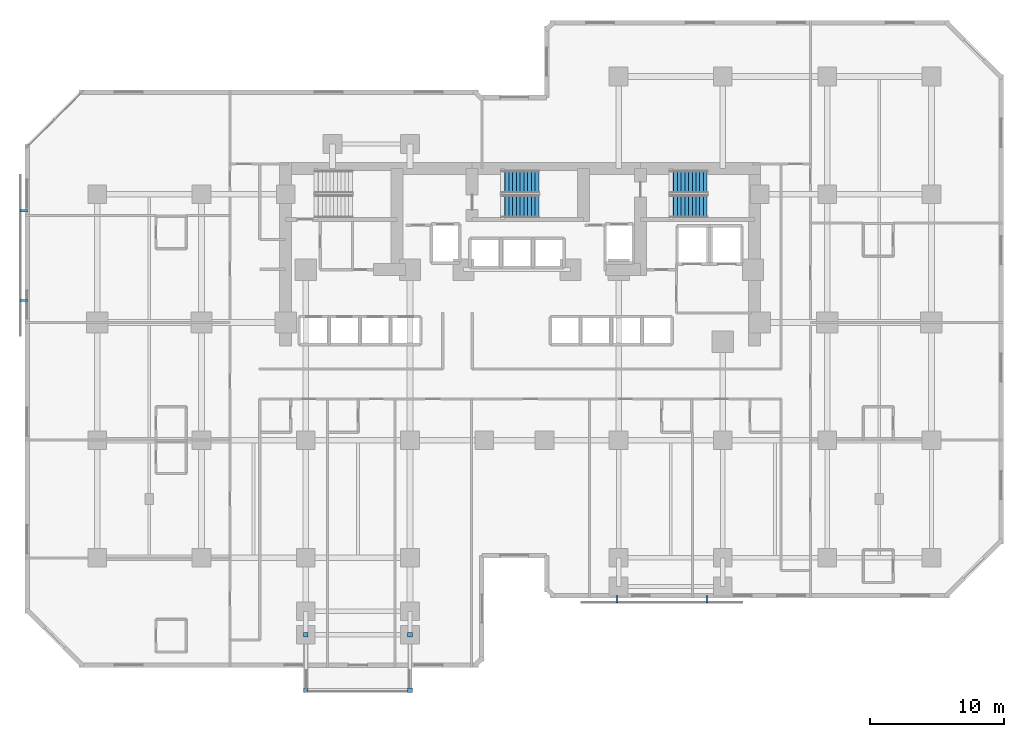
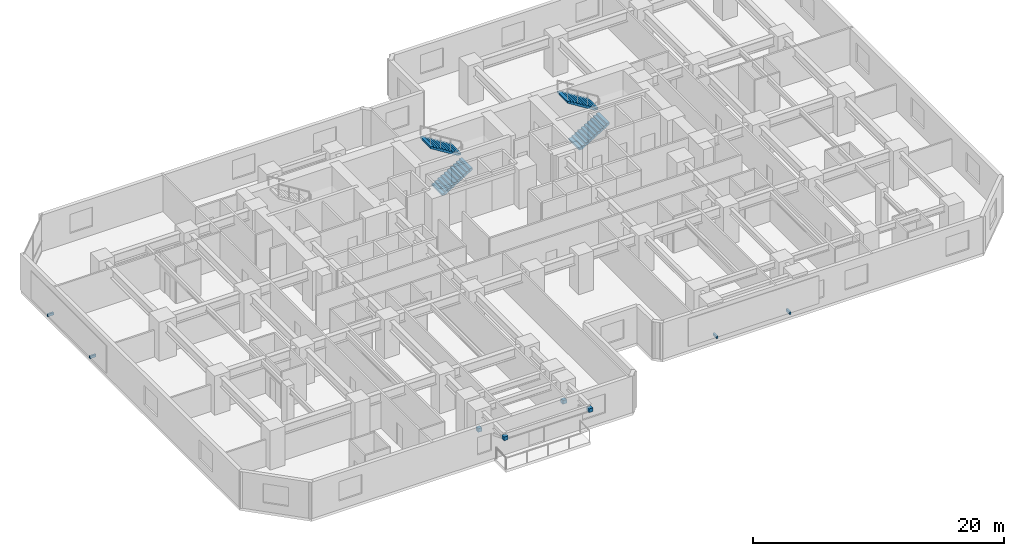
# One storey, part 10 of 12: 8 discrete accessories, 4 stair flights, 2 elements without a shape of their own.
"""IFC4 building model written with IfcOpenShell, lengths in metres."""

from ifc_helpers import new_model, si_unit, direction, frame, origin, origin_2d, place, context, subcontext, project, spatial, polyline, rectangle, outline, extrude, material, type_object, element, aggregate, save


model = new_model("IFC4")

# Units and contexts
model_context = context("Model", 3, precision=1e-05, world=origin(), true_north=direction((0.0, 1.0)))
body_context = subcontext(model_context, "Body", "Model", "MODEL_VIEW")
ifc_project = project(units=[si_unit("LENGTHUNIT", "METRE"), si_unit("AREAUNIT", "SQUARE_METRE"), si_unit("VOLUMEUNIT", "CUBIC_METRE"), si_unit("PLANEANGLEUNIT", "RADIAN"), si_unit("MASSUNIT", "GRAM", prefix="KILO")], contexts=[model_context])

# Site, building, storey
site_placement = place(None, origin())
site = spatial("IfcSite", under=ifc_project, at=site_placement, CompositionType="ELEMENT")
building_placement = place(site_placement, origin())
building = spatial("IfcBuilding", under=site, at=building_placement, Name="Kestravale Grand Hotel", CompositionType="ELEMENT")
storey_placement = place(building_placement, frame((0.0, 0.0, 64.0)))
storey = spatial("IfcBuildingStorey", under=building, at=storey_placement, Name="L15", CompositionType="ELEMENT", Elevation=64.0)

# Stair, stair flights
ifc_material_1 = material(Name="Concrete f'c 45 MPa", Category="concrete")
stair_type = type_object("IfcStairType", Name="ST-CORE-380", PredefinedType="HALF_TURN_STAIR", material=ifc_material_1)
stair_1_placement = place(storey_placement, origin())
stair_1 = element("IfcStair", 1, at=stair_1_placement, inside=storey, type_object=stair_type, Name="L15 ST-2", PredefinedType="HALF_TURN_STAIR")
ifc_material_2 = material(Name="Concrete f'c 45 MPa", Category="concrete")
stair_flight_type = type_object("IfcStairFlightType", Name="STF-CORE-380", PredefinedType="STRAIGHT", material=ifc_material_2)
stair_flight_1_placement = place(storey_placement, frame((38.030029296875, 37.489990234375, 0.0), z_axis=(0.0, 0.0, 1.0), x_axis=(1.0, 0.0, 0.0)))
stair_flight_1 = element("IfcStairFlight", 2, at=stair_flight_1_placement, type_object=stair_flight_type, Name="ST-2 flight 1", NumberOfRisers=11, NumberOfTreads=10, PredefinedType="STRAIGHT", RiserHeight=0.172727273, TreadLength=0.28, context=body_context, shape_type="SweptSolid", body=[
    extrude(outline(polyline([(0.0, 0.0), (0.0, 0.172607421875), (0.280029296875, 0.172607421875), (0.280029296875, 0.345458984375), (0.56005859375, 0.345458984375), (0.56005859375, 0.51806640625), (0.840087890625, 0.51806640625), (0.840087890625, 0.69091796875), (1.1201171875, 0.69091796875), (1.1201171875, 0.863525390625), (1.39990234375, 0.863525390625), (1.39990234375, 1.036376953125), (1.679931640625, 1.036376953125), (1.679931640625, 1.208984375), (1.9599609375, 1.208984375), (1.9599609375, 1.3818359375), (2.239990234375, 1.3818359375), (2.239990234375, 1.554443359375), (2.52001953125, 1.554443359375), (2.52001953125, 1.727294921875), (2.800048828125, 1.727294921875), (2.800048828125, 1.89990234375), (2.800048828125, 1.551025390625), (0.285400390625, 0.0), (0.0, 0.0)])), frame((0.0, 0.83984375, 0.0), z_axis=(0.0, -1.0, 0.0), x_axis=(1.0, 0.0, 0.0)), (0.0, 0.0, 1.0), 1.679931640625),
])
stair_flight_2_placement = place(storey_placement, frame((40.830078125, 39.320068359375, 1.89990234375), z_axis=(0.0, 0.0, 1.0), x_axis=(-1.0, 0.0, 0.0)))
stair_flight_2 = element("IfcStairFlight", 3, at=stair_flight_2_placement, type_object=stair_flight_type, Name="ST-2 flight 2", NumberOfRisers=11, NumberOfTreads=10, PredefinedType="STRAIGHT", RiserHeight=0.172727273, TreadLength=0.28, context=body_context, shape_type="SweptSolid", body=[
    extrude(outline(polyline([(0.0, 0.0), (0.0, 0.172607421875), (0.280029296875, 0.172607421875), (0.280029296875, 0.345458984375), (0.56005859375, 0.345458984375), (0.56005859375, 0.51806640625), (0.840087890625, 0.51806640625), (0.840087890625, 0.69091796875), (1.1201171875, 0.69091796875), (1.1201171875, 0.863525390625), (1.39990234375, 0.863525390625), (1.39990234375, 1.036376953125), (1.679931640625, 1.036376953125), (1.679931640625, 1.208984375), (1.9599609375, 1.208984375), (1.9599609375, 1.3818359375), (2.239990234375, 1.3818359375), (2.239990234375, 1.554443359375), (2.52001953125, 1.554443359375), (2.52001953125, 1.727294921875), (2.800048828125, 1.727294921875), (2.800048828125, 1.89990234375), (2.800048828125, 1.551025390625), (0.285400390625, 0.0), (0.0, 0.0)])), frame((0.0, 0.83984375, 0.0), z_axis=(0.0, -1.0, 0.0), x_axis=(1.0, 0.0, 0.0)), (0.0, 0.0, 1.0), 1.679931640625),
])
aggregate(stair_1, [stair_flight_1, stair_flight_2])

stair_2_placement = place(storey_placement, origin())
stair_2 = element("IfcStair", 4, at=stair_2_placement, inside=storey, type_object=stair_type, Name="L15 ST-3", PredefinedType="HALF_TURN_STAIR")
stair_flight_3_placement = place(storey_placement, frame((50.6298828125, 37.489990234375, 0.0), z_axis=(0.0, 0.0, 1.0), x_axis=(1.0, 0.0, 0.0)))
stair_flight_3 = element("IfcStairFlight", 5, at=stair_flight_3_placement, type_object=stair_flight_type, Name="ST-3 flight 1", NumberOfRisers=11, NumberOfTreads=10, PredefinedType="STRAIGHT", RiserHeight=0.172727273, TreadLength=0.28, context=body_context, shape_type="SweptSolid", body=[
    extrude(outline(polyline([(0.0, 0.0), (0.0, 0.172607421875), (0.280029296875, 0.172607421875), (0.280029296875, 0.345458984375), (0.56005859375, 0.345458984375), (0.56005859375, 0.51806640625), (0.840087890625, 0.51806640625), (0.840087890625, 0.69091796875), (1.1201171875, 0.69091796875), (1.1201171875, 0.863525390625), (1.39990234375, 0.863525390625), (1.39990234375, 1.036376953125), (1.679931640625, 1.036376953125), (1.679931640625, 1.208984375), (1.9599609375, 1.208984375), (1.9599609375, 1.3818359375), (2.239990234375, 1.3818359375), (2.239990234375, 1.554443359375), (2.52001953125, 1.554443359375), (2.52001953125, 1.727294921875), (2.800048828125, 1.727294921875), (2.800048828125, 1.89990234375), (2.800048828125, 1.551025390625), (0.285400390625, 0.0), (0.0, 0.0)])), frame((0.0, 0.83984375, 0.0), z_axis=(0.0, -1.0, 0.0), x_axis=(1.0, 0.0, 0.0)), (0.0, 0.0, 1.0), 1.679931640625),
])
stair_flight_4_placement = place(storey_placement, frame((53.429931640625, 39.320068359375, 1.89990234375), z_axis=(0.0, 0.0, 1.0), x_axis=(-1.0, 0.0, 0.0)))
stair_flight_4 = element("IfcStairFlight", 6, at=stair_flight_4_placement, type_object=stair_flight_type, Name="ST-3 flight 2", NumberOfRisers=11, NumberOfTreads=10, PredefinedType="STRAIGHT", RiserHeight=0.172727273, TreadLength=0.28, context=body_context, shape_type="SweptSolid", body=[
    extrude(outline(polyline([(0.0, 0.0), (0.0, 0.172607421875), (0.280029296875, 0.172607421875), (0.280029296875, 0.345458984375), (0.56005859375, 0.345458984375), (0.56005859375, 0.51806640625), (0.840087890625, 0.51806640625), (0.840087890625, 0.69091796875), (1.1201171875, 0.69091796875), (1.1201171875, 0.863525390625), (1.39990234375, 0.863525390625), (1.39990234375, 1.036376953125), (1.679931640625, 1.036376953125), (1.679931640625, 1.208984375), (1.9599609375, 1.208984375), (1.9599609375, 1.3818359375), (2.239990234375, 1.3818359375), (2.239990234375, 1.554443359375), (2.52001953125, 1.554443359375), (2.52001953125, 1.727294921875), (2.800048828125, 1.727294921875), (2.800048828125, 1.89990234375), (2.800048828125, 1.551025390625), (0.285400390625, 0.0), (0.0, 0.0)])), frame((0.0, 0.83984375, 0.0), z_axis=(0.0, -1.0, 0.0), x_axis=(1.0, 0.0, 0.0)), (0.0, 0.0, 1.0), 1.679931640625),
])
aggregate(stair_2, [stair_flight_3, stair_flight_4])

# Discrete accessories
ifc_material_3 = material(Name="Steel ASTM A572 Grade 50 hot-dip galvanised bracket", Category="steel")
discrete_accessory_type = type_object("IfcDiscreteAccessoryType", Name="ACC-BRK-STL", PredefinedType="BRACKET", material=ifc_material_3)
for number, where, z_axis, x_axis, name in (
    (7, (23.39990234375, 5.449951171875, 1.19384765625), (0.0, 0.0, 1.0), (1.0, 0.0, 0.0), "L16 terrace strut column bracket 1"),
    (8, (23.39990234375, 1.300048828125, 2.89404296875), (0.0, 0.0, 1.0), (1.0, 0.0, 0.0), "L16 terrace strut beam bracket 1"),
    (9, (31.199951171875, 5.449951171875, 1.19384765625), (0.0, 0.0, 1.0), (1.0, 0.0, 0.0), "L16 terrace strut column bracket 2"),
    (10, (31.199951171875, 1.300048828125, 2.89404296875), (0.0, 0.0, 1.0), (1.0, 0.0, 0.0), "L16 terrace strut beam bracket 2"),
):
    element("IfcDiscreteAccessory", number, at=place(storey_placement, frame(where, z_axis=z_axis, x_axis=x_axis)), inside=storey, type_object=discrete_accessory_type, Name=name, PredefinedType="BRACKET", context=body_context, shape_type="SweptSolid", body=[
        extrude(rectangle(XDim=0.360107421875, YDim=0.360107421875, at=origin_2d()), origin(), (0.0, 0.0, 1.0), 0.360107421875),
    ])
for number, where, z_axis, x_axis, name in (
    (11, (46.68994140625, 8.10498046875, 0.56005859375), (0.0, 0.0, 1.0), (1.0, 0.0, 0.0), "L15 solar screen standoff bracket 1"),
    (12, (53.409912109375, 8.10498046875, 0.56005859375), (0.0, 0.0, 1.0), (1.0, 0.0, 0.0), "L15 solar screen standoff bracket 2"),
    (13, (2.304931640625, 37.159912109375, 0.56005859375), (0.0, 0.0, 1.0), (0.0, -1.0, 0.0), "L15 solar screen standoff bracket 1"),
    (14, (2.304931640625, 30.43994140625, 0.56005859375), (0.0, 0.0, 1.0), (0.0, -1.0, 0.0), "L15 solar screen standoff bracket 2"),
):
    element("IfcDiscreteAccessory", number, at=place(storey_placement, frame(where, z_axis=z_axis, x_axis=x_axis)), inside=storey, type_object=discrete_accessory_type, Name=name, PredefinedType="BRACKET", context=body_context, shape_type="SweptSolid", body=[
        extrude(rectangle(XDim=0.159912109375, YDim=0.56005859375, at=origin_2d()), origin(), (0.0, 0.0, 1.0), 0.239990234375),
    ])

save(model, "model.ifc")
